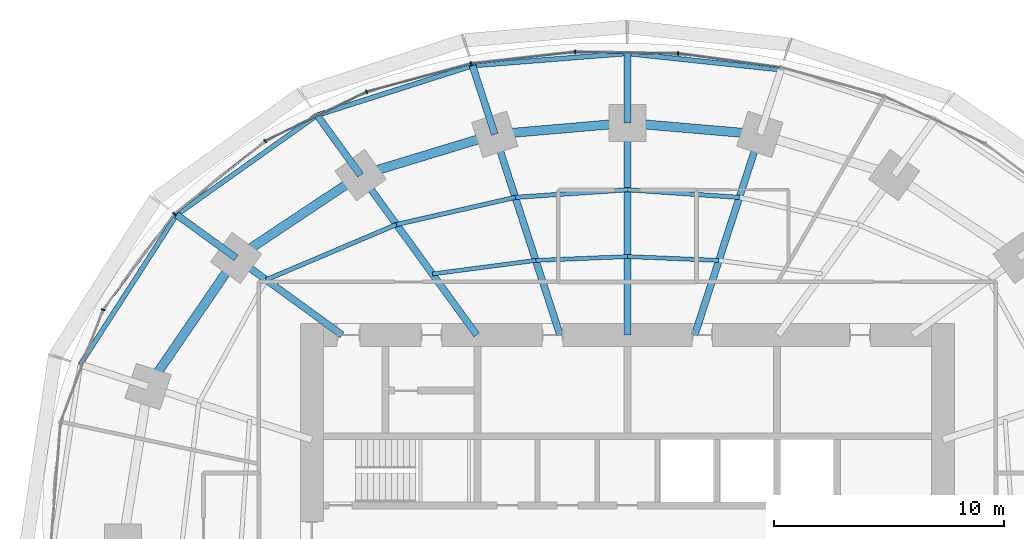
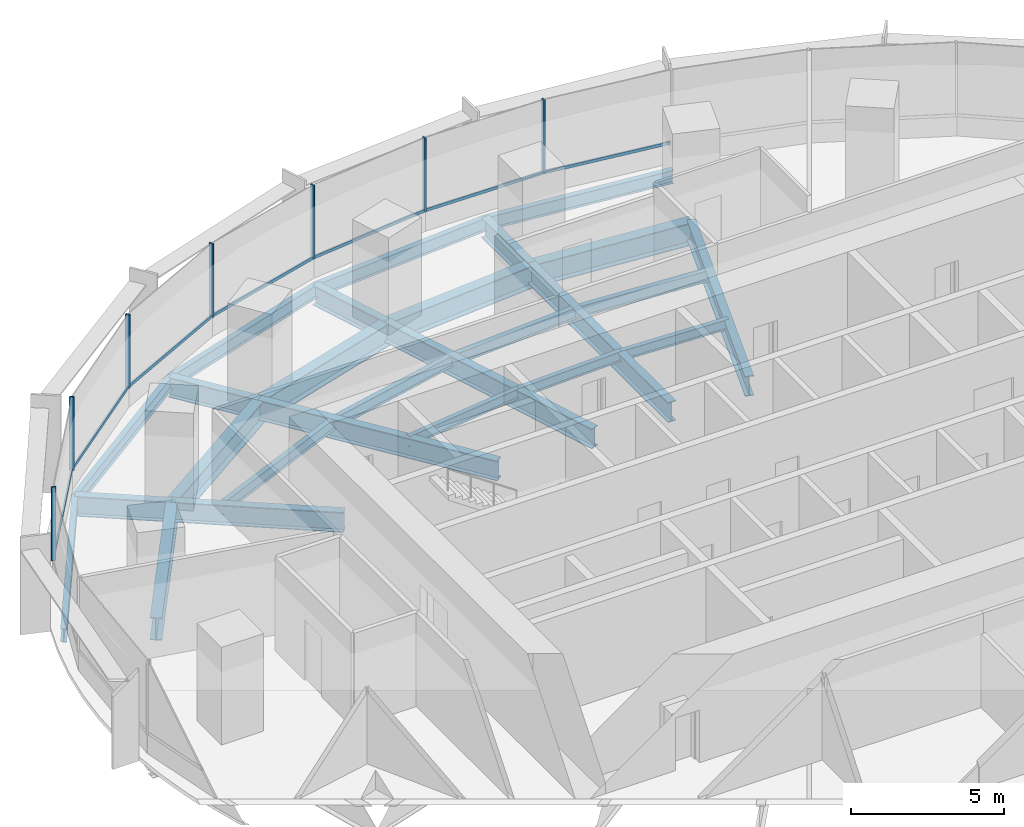
# One storey, part 7 of 14: 26 beams, 14 members, 2 elements without a shape of their own.
"""IFC4 building model written with IfcOpenShell, lengths in metres."""

from ifc_helpers import new_model, si_unit, direction, frame, origin, origin_2d, place, context, subcontext, project, spatial, rectangle, i_section, extrude, material, material_profile, profile_set, type_object, element, aggregate, save


model = new_model("IFC4")

# Units and contexts
model_context = context("Model", 3, precision=1e-05, world=origin(), true_north=direction((0.0, 1.0)))
body_context = subcontext(model_context, "Body", "Model", "MODEL_VIEW")
ifc_project = project(units=[si_unit("LENGTHUNIT", "METRE"), si_unit("AREAUNIT", "SQUARE_METRE"), si_unit("VOLUMEUNIT", "CUBIC_METRE"), si_unit("PLANEANGLEUNIT", "RADIAN"), si_unit("MASSUNIT", "GRAM", prefix="KILO")], contexts=[model_context])

# Site, building, storey
site_placement = place(None, origin())
site = spatial("IfcSite", under=ifc_project, at=site_placement, CompositionType="ELEMENT")
building_placement = place(site_placement, origin())
building = spatial("IfcBuilding", under=site, at=building_placement, Name="Marramba Exchange Tower", CompositionType="ELEMENT")
storey_placement = place(building_placement, frame((0.0, 0.0, 123.60009765625)))
storey = spatial("IfcBuildingStorey", under=building, at=storey_placement, Name="L29", CompositionType="ELEMENT", Elevation=123.60009765625)

# Beams
ifc_material_1 = material(Name="Steel AS/NZS 3679.2 grade 300", Category="steel")
ifc_material_profile_1 = material_profile(ifc_material_1, i_section(OverallWidth=0.300048828125, OverallDepth=0.800048828125, WebThickness=0.013916015625, FlangeThickness=0.031982421875, at=origin_2d()), Name="800WB192")
ifc_profile_set_1 = profile_set([ifc_material_profile_1], Name="Steel AS/NZS 3679.2 grade 300")
beam_type_1 = type_object("IfcBeamType", Name="Cantilever girder 800WB192", PredefinedType="BEAM", material=ifc_profile_set_1)
beam_1_placement = place(storey_placement, frame((0.0, 18.2041015625, -0.56005859375), z_axis=(0.0, 1.0, 0.0), x_axis=(-1.0, 0.0, 0.0)))
element("IfcBeam", 1, at=beam_1_placement, inside=storey, type_object=beam_type_1, Name="Cantilever girder L29 TC06", PredefinedType="BEAM", context=body_context, shape_type="SweptSolid", body=[
    extrude(i_section(OverallWidth=0.300048828125, OverallDepth=0.800048828125, WebThickness=0.013916015625, FlangeThickness=0.031982421875, at=origin_2d()), origin(), (0.0, 0.0, 1.0), 3.01904296875),
])
beam_2_placement = place(storey_placement, frame((-5.75390625, 17.70849609375, -0.56005859375), z_axis=(-0.309028002802, 0.95105293937, 0.0), x_axis=(-0.95105293937, -0.309028002802, 0.0)))
element("IfcBeam", 2, at=beam_2_placement, inside=storey, type_object=beam_type_1, Name="Cantilever girder L29 TC07", PredefinedType="BEAM", context=body_context, shape_type="SweptSolid", body=[
    extrude(i_section(OverallWidth=0.300048828125, OverallDepth=0.800048828125, WebThickness=0.013916015625, FlangeThickness=0.031982421875, at=origin_2d()), origin(), (0.0, 0.0, 1.0), 3.13720703125),
])
beam_3_placement = place(storey_placement, frame((-11.581298828125, 15.9404296875, -0.56005859375), z_axis=(-0.587828447158, 0.808985609706, 0.0), x_axis=(-0.808985609706, -0.587828447158, 0.0)))
element("IfcBeam", 3, at=beam_3_placement, inside=storey, type_object=beam_type_1, Name="Cantilever girder L29 TC08", PredefinedType="BEAM", context=body_context, shape_type="SweptSolid", body=[
    extrude(i_section(OverallWidth=0.300048828125, OverallDepth=0.800048828125, WebThickness=0.013916015625, FlangeThickness=0.031982421875, at=origin_2d()), origin(), (0.0, 0.0, 1.0), 3.214599609375),
])
beam_4_placement = place(storey_placement, frame((-16.98583984375, 12.3408203125, -0.56005859375), z_axis=(-0.809013857915, 0.587789569234, 0.0), x_axis=(-0.587789569234, -0.809013857915, 0.0)))
element("IfcBeam", 4, at=beam_4_placement, inside=storey, type_object=beam_type_1, Name="Cantilever girder L29 TC09", PredefinedType="BEAM", context=body_context, shape_type="SweptSolid", body=[
    extrude(i_section(OverallWidth=0.300048828125, OverallDepth=0.800048828125, WebThickness=0.013916015625, FlangeThickness=0.031982421875, at=origin_2d()), origin(), (0.0, 0.0, 1.0), 3.191650390625),
])
ifc_material_2 = material(Name="Steel AS/NZS 3679.1 grade 300", Category="steel")
ifc_material_profile_2 = material_profile(ifc_material_2, i_section(OverallWidth=0.177978515625, OverallDepth=0.406005859375, WebThickness=0.0078125, FlangeThickness=0.0126953125, FilletRadius=0.011474609375, at=origin_2d()), Name="410UB59.7")
ifc_profile_set_2 = profile_set([ifc_material_profile_2], Name="Steel AS/NZS 3679.1 grade 300")
beam_type_2 = type_object("IfcBeamType", Name="Floor joist 410UB59.7", PredefinedType="JOIST", material=ifc_profile_set_2)
for number, where, z_axis, x_axis, name in (
    (5, (3.975830078125, 12.236083984375, -0.363037109375), (-0.999137002892, 0.041536122257, 0.0), (-0.041536122257, -0.999137002892, 0.0), "Joist L29 bay 05 row 1"),
    (6, (0.0, 12.4013671875, -0.363037109375), (-0.999137002892, -0.041536122257, 0.0), (0.041536122257, -0.999137002892, 0.0), "Joist L29 bay 06 row 1"),
):
    element("IfcBeam", number, at=place(storey_placement, frame(where, z_axis=z_axis, x_axis=x_axis)), inside=storey, type_object=beam_type_2, Name=name, PredefinedType="JOIST", context=body_context, shape_type="SweptSolid", body=[
        extrude(i_section(OverallWidth=0.177978515625, OverallDepth=0.406005859375, WebThickness=0.0078125, FlangeThickness=0.0126953125, FilletRadius=0.011474609375, at=origin_2d()), origin(), (0.0, 0.0, 1.0), 3.979248046875),
    ])
beam_5_placement = place(storey_placement, frame((-3.975830078125, 12.236083984375, -0.363037109375), z_axis=(-0.991480538255, -0.130254912618, 0.0), x_axis=(0.130254912618, -0.991480538255, 0.0)))
element("IfcBeam", 7, at=beam_5_placement, inside=storey, type_object=beam_type_2, Name="Joist L29 bay 07 row 1", PredefinedType="JOIST", context=body_context, shape_type="SweptSolid", body=[
    extrude(i_section(OverallWidth=0.177978515625, OverallDepth=0.406005859375, WebThickness=0.0078125, FlangeThickness=0.0126953125, FilletRadius=0.011474609375, at=origin_2d()), origin(), (0.0, 0.0, 1.0), 4.524658203125),
])
ifc_material_profile_3 = material_profile(ifc_material_2, i_section(OverallWidth=0.18994140625, OverallDepth=0.4541015625, WebThickness=0.008544921875, FlangeThickness=0.0126953125, FilletRadius=0.011474609375, at=origin_2d()), Name="460UB67.1")
ifc_profile_set_3 = profile_set([ifc_material_profile_3], Name="Steel AS/NZS 3679.1 grade 300")
beam_type_3 = type_object("IfcBeamType", Name="Floor joist 460UB67.1", PredefinedType="JOIST", material=ifc_profile_set_3)
for number, where, z_axis, x_axis, name in (
    (8, (4.86474609375, 14.972412109375, -0.38720703125), (-0.997702652202, 0.067745241816, 0.0), (-0.067745241816, -0.997702652202, 0.0), "Joist L29 bay 05 row 2"),
    (9, (0.0, 15.302734375, -0.38720703125), (-0.997702652202, -0.067745241816, 0.0), (0.067745241816, -0.997702652202, 0.0), "Joist L29 bay 06 row 2"),
):
    element("IfcBeam", number, at=place(storey_placement, frame(where, z_axis=z_axis, x_axis=x_axis)), inside=storey, type_object=beam_type_3, Name=name, PredefinedType="JOIST", context=body_context, shape_type="SweptSolid", body=[
        extrude(i_section(OverallWidth=0.18994140625, OverallDepth=0.4541015625, WebThickness=0.008544921875, FlangeThickness=0.0126953125, FilletRadius=0.011474609375, at=origin_2d()), origin(), (0.0, 0.0, 1.0), 4.8759765625),
    ])
beam_6_placement = place(storey_placement, frame((-4.86474609375, 14.972412109375, -0.38720703125), z_axis=(-0.974859652292, -0.222819788916, 0.0), x_axis=(0.222819788916, -0.974859652292, 0.0)))
element("IfcBeam", 10, at=beam_6_placement, inside=storey, type_object=beam_type_3, Name="Joist L29 bay 07 row 2", PredefinedType="JOIST", context=body_context, shape_type="SweptSolid", body=[
    extrude(i_section(OverallWidth=0.18994140625, OverallDepth=0.4541015625, WebThickness=0.008544921875, FlangeThickness=0.0126953125, FilletRadius=0.011474609375, at=origin_2d()), origin(), (0.0, 0.0, 1.0), 5.2900390625),
])
beam_7_placement = place(storey_placement, frame((-10.021728515625, 13.793701171875, -0.38720703125), z_axis=(-0.920674336375, -0.390331610738, 0.0), x_axis=(0.390331610738, -0.920674336375, 0.0)))
element("IfcBeam", 11, at=beam_7_placement, inside=storey, type_object=beam_type_3, Name="Joist L29 bay 08 row 2", PredefinedType="JOIST", context=body_context, shape_type="SweptSolid", body=[
    extrude(i_section(OverallWidth=0.18994140625, OverallDepth=0.4541015625, WebThickness=0.008544921875, FlangeThickness=0.0126953125, FilletRadius=0.011474609375, at=origin_2d()), origin(), (0.0, 0.0, 1.0), 6.1484375),
])

# Curtain wall, members
ifc_material_3 = material(Name="Aluminium framing, bronze anodised", Category="aluminium")
curtain_wall_type = type_object("IfcCurtainWallType", Name="Office ribbon curtain wall", PredefinedType="USERDEFINED", material=ifc_material_3)
curtain_wall_1_placement = place(storey_placement, origin())
curtain_wall_1 = element("IfcCurtainWall", 12, at=curtain_wall_1_placement, inside=storey, type_object=curtain_wall_type, Name="Curtain wall CW4 L29 F06-F10", ObjectType="RIBBON CURTAIN WALL", PredefinedType="USERDEFINED")
ifc_material_4 = material(Name="Aluminium mullion, bronze anodised", Category="aluminium")
ifc_material_profile_4 = material_profile(ifc_material_4, rectangle(XDim=0.159912109375, YDim=0.06005859375, at=origin_2d()), Name="CW4 mullion 60x160")
ifc_profile_set_4 = profile_set([ifc_material_profile_4], Name="Aluminium mullion, bronze anodised")
member_type_1 = type_object("IfcMemberType", Name="Office ribbon curtain wall mullion", PredefinedType="MULLION", material=ifc_profile_set_4)
member_1_placement = place(storey_placement, frame((2.200439453125, 21.2216796875, 0.7998046875), z_axis=(0.0, 0.0, 1.0), x_axis=(-0.01575578169, -0.999875869968, 0.0)))
member_1 = element("IfcMember", 13, at=member_1_placement, type_object=member_type_1, Name="CW4 mullion 1", PredefinedType="MULLION", context=body_context, shape_type="SweptSolid", body=[
    extrude(rectangle(XDim=0.159912109375, YDim=0.06005859375, at=origin_2d()), origin(), (0.0, 0.0, 1.0), 2.940185546875),
])
member_2_placement = place(storey_placement, frame((-2.267578125, 21.288330078125, 0.7998046875), z_axis=(0.0, 0.0, 1.0), x_axis=(0.110973233233, -0.993823395532, 0.0)))
member_2 = element("IfcMember", 14, at=member_2_placement, type_object=member_type_1, Name="CW4 mullion 1", PredefinedType="MULLION", context=body_context, shape_type="SweptSolid", body=[
    extrude(rectangle(XDim=0.159912109375, YDim=0.06005859375, at=origin_2d()), origin(), (0.0, 0.0, 1.0), 2.940185546875),
])
member_3_placement = place(storey_placement, frame((-6.783203125, 20.779541015625, 0.7998046875), z_axis=(0.0, 0.0, 1.0), x_axis=(0.260321294588, -0.965522047176, 0.0)))
member_3 = element("IfcMember", 15, at=member_3_placement, type_object=member_type_1, Name="CW4 mullion 1", PredefinedType="MULLION", context=body_context, shape_type="SweptSolid", body=[
    extrude(rectangle(XDim=0.159912109375, YDim=0.06005859375, at=origin_2d()), origin(), (0.0, 0.0, 1.0), 2.940185546875),
])

curtain_wall_2_placement = place(storey_placement, origin())
curtain_wall_2 = element("IfcCurtainWall", 16, at=curtain_wall_2_placement, inside=storey, type_object=curtain_wall_type, Name="Curtain wall CW4 L29 F11-F15", ObjectType="RIBBON CURTAIN WALL", PredefinedType="USERDEFINED")
member_4_placement = place(storey_placement, frame((-11.32177734375, 19.550048828125, 0.7998046875), z_axis=(0.0, 0.0, 1.0), x_axis=(0.435427626771, -0.900223739881, 0.0)))
member_4 = element("IfcMember", 17, at=member_4_placement, type_object=member_type_1, Name="CW4 mullion 1", PredefinedType="MULLION", context=body_context, shape_type="SweptSolid", body=[
    extrude(rectangle(XDim=0.159912109375, YDim=0.06005859375, at=origin_2d()), origin(), (0.0, 0.0, 1.0), 2.940185546875),
])
member_5_placement = place(storey_placement, frame((-15.720703125, 17.414794921875, 0.7998046875), z_axis=(0.0, 0.0, 1.0), x_axis=(0.624307950145, -0.78117833008, 0.0)))
member_5 = element("IfcMember", 18, at=member_5_placement, type_object=member_type_1, Name="CW4 mullion 1", PredefinedType="MULLION", context=body_context, shape_type="SweptSolid", body=[
    extrude(rectangle(XDim=0.159912109375, YDim=0.06005859375, at=origin_2d()), origin(), (0.0, 0.0, 1.0), 2.940185546875),
])
member_6_placement = place(storey_placement, frame((-19.666748046875, 14.251708984375, 0.7998046875), z_axis=(0.0, 0.0, 1.0), x_axis=(0.80171686484, -0.597703997504, 0.0)))
member_6 = element("IfcMember", 19, at=member_6_placement, type_object=member_type_1, Name="CW4 mullion 1", PredefinedType="MULLION", context=body_context, shape_type="SweptSolid", body=[
    extrude(rectangle(XDim=0.159912109375, YDim=0.06005859375, at=origin_2d()), origin(), (0.0, 0.0, 1.0), 2.940185546875),
])
member_7_placement = place(storey_placement, frame((-22.75341796875, 10.09765625, 0.7998046875), z_axis=(0.0, 0.0, 1.0), x_axis=(0.934925346317, -0.354844468484, 0.0)))
member_7 = element("IfcMember", 20, at=member_7_placement, type_object=member_type_1, Name="CW4 mullion 1", PredefinedType="MULLION", context=body_context, shape_type="SweptSolid", body=[
    extrude(rectangle(XDim=0.159912109375, YDim=0.06005859375, at=origin_2d()), origin(), (0.0, 0.0, 1.0), 2.940185546875),
])

# Member
ifc_material_5 = material(Name="Aluminium transom, bronze anodised", Category="aluminium")
ifc_material_profile_5 = material_profile(ifc_material_5, rectangle(XDim=0.06005859375, YDim=0.1201171875, at=origin_2d()), Name="CW4 transom 60x120")
ifc_profile_set_5 = profile_set([ifc_material_profile_5], Name="Aluminium transom, bronze anodised")
member_type_2 = type_object("IfcMemberType", Name="Office ribbon curtain wall transom", PredefinedType="USERDEFINED", material=ifc_profile_set_5)
member_8_placement = place(storey_placement, frame((6.636962890625, 20.6171875, 0.829833984375), z_axis=(-0.990736067897, 0.135801486619, 0.0), x_axis=(-0.135801486619, -0.990736067897, 0.0)))
member_8 = element("IfcMember", 21, at=member_8_placement, type_object=member_type_2, Name="CW4 sill transom", ObjectType="TRANSOM", PredefinedType="USERDEFINED", context=body_context, shape_type="SweptSolid", body=[
    extrude(rectangle(XDim=0.06005859375, YDim=0.1201171875, at=origin_2d()), origin(), (0.0, 0.0, 1.0), 4.44775390625),
])

member_9_placement = place(storey_placement, frame((2.17041015625, 21.22216796875, 0.829833984375), z_axis=(-0.999875452363, 0.015782260962, 0.0), x_axis=(-0.015782260962, -0.999875452363, 0.0)))
member_9 = element("IfcMember", 22, at=member_9_placement, type_object=member_type_2, Name="CW4 sill transom", ObjectType="TRANSOM", PredefinedType="USERDEFINED", context=body_context, shape_type="SweptSolid", body=[
    extrude(rectangle(XDim=0.06005859375, YDim=0.1201171875, at=origin_2d()), origin(), (0.0, 0.0, 1.0), 4.40869140625),
])

member_10_placement = place(storey_placement, frame((-2.29736328125, 21.284912109375, 0.829833984375), z_axis=(-0.993825837835, -0.110951358943, 0.0), x_axis=(0.110951358943, -0.993825837835, 0.0)))
member_10 = element("IfcMember", 23, at=member_10_placement, type_object=member_type_2, Name="CW4 sill transom", ObjectType="TRANSOM", PredefinedType="USERDEFINED", context=body_context, shape_type="SweptSolid", body=[
    extrude(rectangle(XDim=0.06005859375, YDim=0.1201171875, at=origin_2d()), origin(), (0.0, 0.0, 1.0), 4.484375),
])

member_11_placement = place(storey_placement, frame((-6.812255859375, 20.771728515625, 0.829833984375), z_axis=(-0.965511085148, -0.260361948942, 0.0), x_axis=(0.260361948942, -0.965511085148, 0.0)))
member_11 = element("IfcMember", 24, at=member_11_placement, type_object=member_type_2, Name="CW4 sill transom", ObjectType="TRANSOM", PredefinedType="USERDEFINED", context=body_context, shape_type="SweptSolid", body=[
    extrude(rectangle(XDim=0.06005859375, YDim=0.1201171875, at=origin_2d()), origin(), (0.0, 0.0, 1.0), 4.642578125),
])

aggregate(curtain_wall_1, [member_8, member_1, member_9, member_2, member_10, member_3, member_11])

member_12_placement = place(storey_placement, frame((-11.348876953125, 19.536865234375, 0.829833984375), z_axis=(-0.900223166385, -0.435428812442, 0.0), x_axis=(0.435428812442, -0.900223166385, 0.0)))
member_12 = element("IfcMember", 25, at=member_12_placement, type_object=member_type_2, Name="CW4 sill transom", ObjectType="TRANSOM", PredefinedType="USERDEFINED", context=body_context, shape_type="SweptSolid", body=[
    extrude(rectangle(XDim=0.06005859375, YDim=0.1201171875, at=origin_2d()), origin(), (0.0, 0.0, 1.0), 4.830322265625),
])

member_13_placement = place(storey_placement, frame((-15.744140625, 17.396240234375, 0.829833984375), z_axis=(-0.781164169531, -0.624325668414, 0.0), x_axis=(0.624325668414, -0.781164169531, 0.0)))
member_13 = element("IfcMember", 26, at=member_13_placement, type_object=member_type_2, Name="CW4 sill transom", ObjectType="TRANSOM", PredefinedType="USERDEFINED", context=body_context, shape_type="SweptSolid", body=[
    extrude(rectangle(XDim=0.06005859375, YDim=0.1201171875, at=origin_2d()), origin(), (0.0, 0.0, 1.0), 4.998291015625),
])

member_14_placement = place(storey_placement, frame((-19.6845703125, 14.2275390625, 0.829833984375), z_axis=(-0.597714731658, -0.801708862093, 0.0), x_axis=(0.801708862093, -0.597714731658, 0.0)))
member_14 = element("IfcMember", 27, at=member_14_placement, type_object=member_type_2, Name="CW4 sill transom", ObjectType="TRANSOM", PredefinedType="USERDEFINED", context=body_context, shape_type="SweptSolid", body=[
    extrude(rectangle(XDim=0.06005859375, YDim=0.1201171875, at=origin_2d()), origin(), (0.0, 0.0, 1.0), 5.1162109375),
])

aggregate(curtain_wall_2, [member_4, member_12, member_5, member_13, member_6, member_14, member_7])

# Beams
ifc_material_profile_6 = material_profile(ifc_material_1, i_section(OverallWidth=0.300048828125, OverallDepth=0.800048828125, WebThickness=0.013916015625, FlangeThickness=0.031982421875, at=origin_2d()), Name="800WB192")
ifc_profile_set_6 = profile_set([ifc_material_profile_6], Name="Steel AS/NZS 3679.2 grade 300")
beam_type_4 = type_object("IfcBeamType", Name="Radial girder 800WB192", PredefinedType="BEAM", material=ifc_profile_set_6)
beam_8_placement = place(storey_placement, frame((2.92431640625, 9.0, -0.56005859375), z_axis=(0.309019754162, 0.951055619582, 0.0), x_axis=(-0.951055619582, 0.309019754162, 0.0)))
element("IfcBeam", 28, at=beam_8_placement, inside=storey, type_object=beam_type_4, Name="Radial girder L29 TC05", PredefinedType="BEAM", context=body_context, shape_type="SweptSolid", body=[
    extrude(i_section(OverallWidth=0.300048828125, OverallDepth=0.800048828125, WebThickness=0.013916015625, FlangeThickness=0.031982421875, at=origin_2d()), origin(), (0.0, 0.0, 1.0), 9.15673828125),
])
beam_9_placement = place(storey_placement, frame((0.0, 9.0, -0.56005859375), z_axis=(0.0, 1.0, 0.0), x_axis=(-1.0, 0.0, 0.0)))
element("IfcBeam", 29, at=beam_9_placement, inside=storey, type_object=beam_type_4, Name="Radial girder L29 TC06", PredefinedType="BEAM", context=body_context, shape_type="SweptSolid", body=[
    extrude(i_section(OverallWidth=0.300048828125, OverallDepth=0.800048828125, WebThickness=0.013916015625, FlangeThickness=0.031982421875, at=origin_2d()), origin(), (0.0, 0.0, 1.0), 9.2041015625),
])
beam_10_placement = place(storey_placement, frame((-2.92431640625, 9.0, -0.56005859375), z_axis=(-0.309019754162, 0.951055619582, 0.0), x_axis=(-0.951055619582, -0.309019754162, 0.0)))
element("IfcBeam", 30, at=beam_10_placement, inside=storey, type_object=beam_type_4, Name="Radial girder L29 TC07", PredefinedType="BEAM", context=body_context, shape_type="SweptSolid", body=[
    extrude(i_section(OverallWidth=0.300048828125, OverallDepth=0.800048828125, WebThickness=0.013916015625, FlangeThickness=0.031982421875, at=origin_2d()), origin(), (0.0, 0.0, 1.0), 9.15673828125),
])
beam_11_placement = place(storey_placement, frame((-6.538818359375, 9.0, -0.56005859375), z_axis=(-0.587782439969, 0.80901903764, 0.0), x_axis=(-0.80901903764, -0.587782439969, 0.0)))
element("IfcBeam", 31, at=beam_11_placement, inside=storey, type_object=beam_type_4, Name="Radial girder L29 TC08", PredefinedType="BEAM", context=body_context, shape_type="SweptSolid", body=[
    extrude(i_section(OverallWidth=0.300048828125, OverallDepth=0.800048828125, WebThickness=0.013916015625, FlangeThickness=0.031982421875, at=origin_2d()), origin(), (0.0, 0.0, 1.0), 8.578857421875),
])
beam_12_placement = place(storey_placement, frame((-12.387451171875, 9.0, -0.56005859375), z_axis=(-0.809025746925, 0.587773205252, 0.0), x_axis=(-0.587773205252, -0.809025746925, 0.0)))
element("IfcBeam", 32, at=beam_12_placement, inside=storey, type_object=beam_type_4, Name="Radial girder L29 TC09", PredefinedType="BEAM", context=body_context, shape_type="SweptSolid", body=[
    extrude(i_section(OverallWidth=0.300048828125, OverallDepth=0.800048828125, WebThickness=0.013916015625, FlangeThickness=0.031982421875, at=origin_2d()), origin(), (0.0, 0.0, 1.0), 5.683837890625),
])
ifc_material_profile_7 = material_profile(ifc_material_1, i_section(OverallWidth=0.39990234375, OverallDepth=0.89990234375, WebThickness=0.01611328125, FlangeThickness=0.031982421875, at=origin_2d()), Name="900WB282")
ifc_profile_set_7 = profile_set([ifc_material_profile_7], Name="Steel AS/NZS 3679.2 grade 300")
beam_type_5 = type_object("IfcBeamType", Name="Ring beam 900WB282", PredefinedType="SPANDREL", material=ifc_profile_set_7)
for number, where, z_axis, x_axis, name in (
    (33, (5.75390625, 17.70849609375, -0.610107421875), (-0.996311003275, 0.085815993578, 0.0), (-0.085815993578, -0.996311003275, 0.0), "Ring beam L29 TC05-TC06"),
    (34, (0.0, 18.2041015625, -0.610107421875), (-0.996311003275, -0.085815993578, 0.0), (0.085815993578, -0.996311003275, 0.0), "Ring beam L29 TC06-TC07"),
):
    element("IfcBeam", number, at=place(storey_placement, frame(where, z_axis=z_axis, x_axis=x_axis)), inside=storey, type_object=beam_type_5, Name=name, PredefinedType="SPANDREL", context=body_context, shape_type="SweptSolid", body=[
        extrude(i_section(OverallWidth=0.39990234375, OverallDepth=0.89990234375, WebThickness=0.01611328125, FlangeThickness=0.031982421875, at=origin_2d()), origin(), (0.0, 0.0, 1.0), 5.775146484375),
    ])
beam_13_placement = place(storey_placement, frame((-5.75390625, 17.70849609375, -0.610107421875), z_axis=(-0.956924542524, -0.290336735387, 0.0), x_axis=(0.290336735387, -0.956924542524, 0.0)))
element("IfcBeam", 35, at=beam_13_placement, inside=storey, type_object=beam_type_5, Name="Ring beam L29 TC07-TC08", PredefinedType="SPANDREL", context=body_context, shape_type="SweptSolid", body=[
    extrude(i_section(OverallWidth=0.39990234375, OverallDepth=0.89990234375, WebThickness=0.01611328125, FlangeThickness=0.031982421875, at=origin_2d()), origin(), (0.0, 0.0, 1.0), 6.089599609375),
])
beam_14_placement = place(storey_placement, frame((-11.581298828125, 15.9404296875, -0.610107421875), z_axis=(-0.832293151443, -0.554335737673, 0.0), x_axis=(0.554335737673, -0.832293151443, 0.0)))
element("IfcBeam", 36, at=beam_14_placement, inside=storey, type_object=beam_type_5, Name="Ring beam L29 TC08-TC09", PredefinedType="SPANDREL", context=body_context, shape_type="SweptSolid", body=[
    extrude(i_section(OverallWidth=0.39990234375, OverallDepth=0.89990234375, WebThickness=0.01611328125, FlangeThickness=0.031982421875, at=origin_2d()), origin(), (0.0, 0.0, 1.0), 6.49365234375),
])
beam_15_placement = place(storey_placement, frame((-16.98583984375, 12.3408203125, -0.610107421875), z_axis=(-0.56516002054, -0.824981303535, 0.0), x_axis=(0.824981303535, -0.56516002054, 0.0)))
element("IfcBeam", 37, at=beam_15_placement, inside=storey, type_object=beam_type_5, Name="Ring beam L29 TC09-TC10", PredefinedType="SPANDREL", context=body_context, shape_type="SweptSolid", body=[
    extrude(i_section(OverallWidth=0.39990234375, OverallDepth=0.89990234375, WebThickness=0.01611328125, FlangeThickness=0.031982421875, at=origin_2d()), origin(), (0.0, 0.0, 1.0), 6.763671875),
])
ifc_material_profile_8 = material_profile(ifc_material_2, i_section(OverallWidth=0.208984375, OverallDepth=0.528076171875, WebThickness=0.009521484375, FlangeThickness=0.01318359375, FilletRadius=0.013916015625, at=origin_2d()), Name="530UB82.0")
ifc_profile_set_8 = profile_set([ifc_material_profile_8], Name="Steel AS/NZS 3679.1 grade 300")
beam_type_6 = type_object("IfcBeamType", Name="Slab edge beam 530UB82.0", PredefinedType="SPANDREL", material=ifc_profile_set_8)
beam_16_placement = place(storey_placement, frame((6.66552734375, 20.51416015625, -0.424072265625), z_axis=(-0.994390706415, 0.105769196815, 0.0), x_axis=(-0.105769196815, -0.994390706415, 0.0)))
element("IfcBeam", 38, at=beam_16_placement, inside=storey, type_object=beam_type_6, Name="Slab edge beam L29 TC05-TC06", PredefinedType="SPANDREL", context=body_context, shape_type="SweptSolid", body=[
    extrude(i_section(OverallWidth=0.208984375, OverallDepth=0.528076171875, WebThickness=0.009521484375, FlangeThickness=0.01318359375, FilletRadius=0.013916015625, at=origin_2d()), origin(), (0.0, 0.0, 1.0), 6.703125),
])
beam_17_placement = place(storey_placement, frame((0.0, 21.22314453125, -0.424072265625), z_axis=(-0.996895681721, -0.078733726996, 0.0), x_axis=(0.078733726996, -0.996895681721, 0.0)))
element("IfcBeam", 39, at=beam_17_placement, inside=storey, type_object=beam_type_6, Name="Slab edge beam L29 TC06-TC07", PredefinedType="SPANDREL", context=body_context, shape_type="SweptSolid", body=[
    extrude(i_section(OverallWidth=0.208984375, OverallDepth=0.528076171875, WebThickness=0.009521484375, FlangeThickness=0.01318359375, FilletRadius=0.013916015625, at=origin_2d()), origin(), (0.0, 0.0, 1.0), 6.744384765625),
])
beam_18_placement = place(storey_placement, frame((-6.723388671875, 20.692138671875, -0.424072265625), z_axis=(-0.952755400854, -0.303738614839, 0.0), x_axis=(0.303738614839, -0.952755400854, 0.0)))
element("IfcBeam", 40, at=beam_18_placement, inside=storey, type_object=beam_type_6, Name="Slab edge beam L29 TC07-TC08", PredefinedType="SPANDREL", context=body_context, shape_type="SweptSolid", body=[
    extrude(i_section(OverallWidth=0.208984375, OverallDepth=0.528076171875, WebThickness=0.009521484375, FlangeThickness=0.01318359375, FilletRadius=0.013916015625, at=origin_2d()), origin(), (0.0, 0.0, 1.0), 7.08203125),
])
beam_19_placement = place(storey_placement, frame((-13.470947265625, 18.541015625, -0.424072265625), z_axis=(-0.815673202412, -0.578512944425, 0.0), x_axis=(0.578512944425, -0.815673202412, 0.0)))
element("IfcBeam", 41, at=beam_19_placement, inside=storey, type_object=beam_type_6, Name="Slab edge beam L29 TC08-TC09", PredefinedType="SPANDREL", context=body_context, shape_type="SweptSolid", body=[
    extrude(i_section(OverallWidth=0.208984375, OverallDepth=0.528076171875, WebThickness=0.009521484375, FlangeThickness=0.01318359375, FilletRadius=0.013916015625, at=origin_2d()), origin(), (0.0, 0.0, 1.0), 7.474609375),
])
beam_20_placement = place(storey_placement, frame((-19.56787109375, 14.216796875, -0.424072265625), z_axis=(-0.541060886597, -0.840983422544, 0.0), x_axis=(0.840983422544, -0.541060886597, 0.0)))
element("IfcBeam", 42, at=beam_20_placement, inside=storey, type_object=beam_type_6, Name="Slab edge beam L29 TC09-TC10", PredefinedType="SPANDREL", context=body_context, shape_type="SweptSolid", body=[
    extrude(i_section(OverallWidth=0.208984375, OverallDepth=0.528076171875, WebThickness=0.009521484375, FlangeThickness=0.01318359375, FilletRadius=0.013916015625, at=origin_2d()), origin(), (0.0, 0.0, 1.0), 7.72900390625),
])

save(model, "model.ifc")
